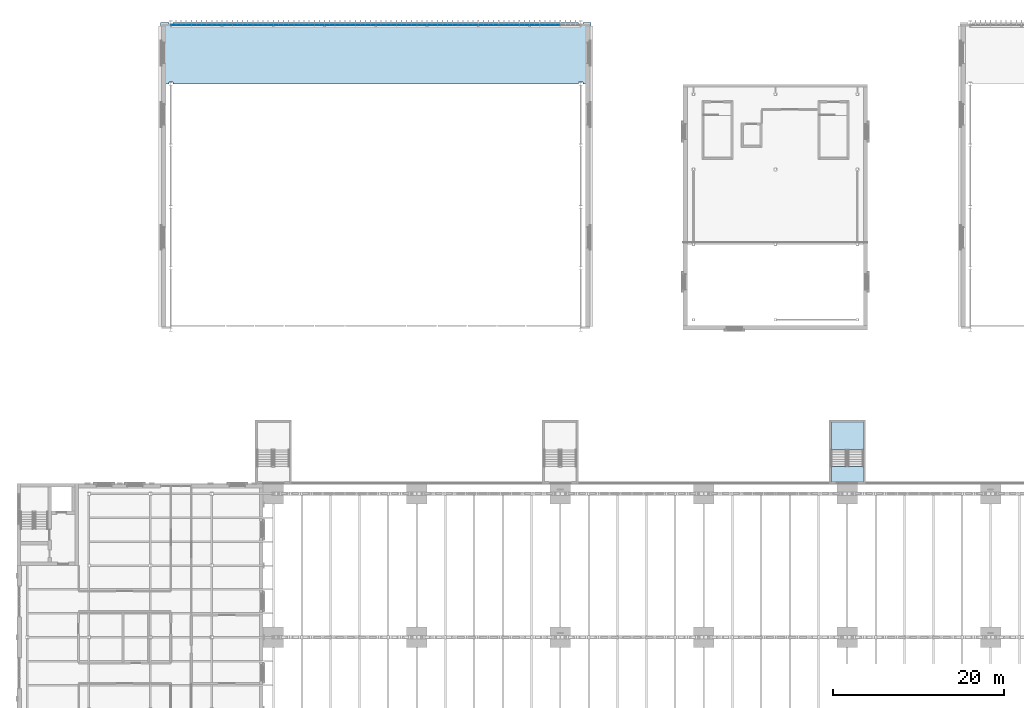
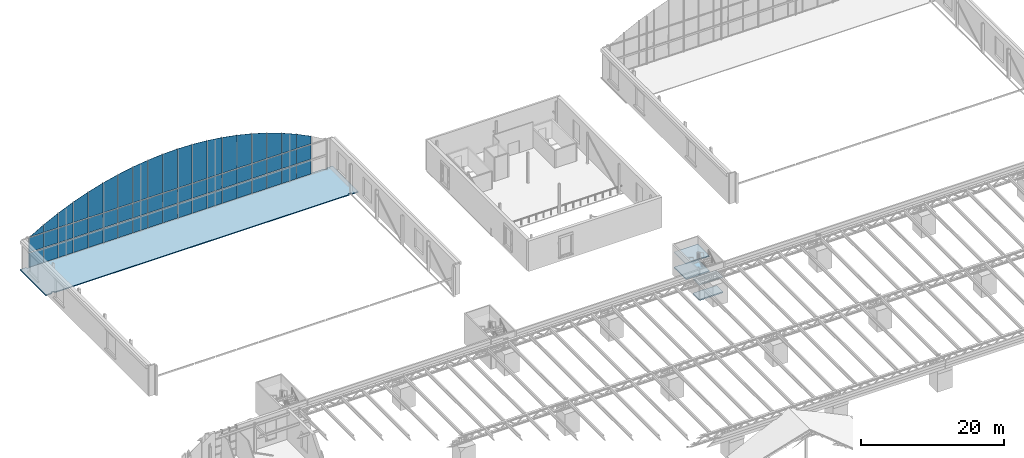
# One storey, part 51 of 93: 57 plates, 5 slabs, 2 elements without a shape of their own.
"""IFC4 building model written with IfcOpenShell, lengths in metres."""

import ifcopenshell
import ifcopenshell.guid

model = None  # the IFC model being written
_history = None  # IfcOwnerHistory: only IFC2X3 demands one
_inside = {}  # id of a spatial element -> (the spatial element, [elements in it])
_under = {}  # id of a project, library or spatial element -> (it, [spatial elements below it])
_declared = {}  # id of a project -> (the project, [libraries it declares])
_typed = {}  # id of a type object -> (the type object, [elements of that type])
_made_of = {}  # id of a material, layer set ... -> (it, [elements and type objects made of it])


def new_model(schema):
    """Start an empty IFC model of exactly this schema.

    Asked for "IFC4X3", IfcOpenShell would pick the latest addendum, in which some entities
    have other attributes; the version numbers below select the first issue.
    IFC2X3 requires an IfcOwnerHistory on every rooted entity: one is made here for all.
    """
    global model, _history
    if schema == "IFC4X3":
        model = ifcopenshell.file(schema_version=(4, 3, 0, 0))
    else:
        model = ifcopenshell.file(schema=schema)
    _inside.clear()
    _under.clear()
    _declared.clear()
    _typed.clear()
    _made_of.clear()
    _history = None
    if model.schema == "IFC2X3":
        org = make("IfcOrganization", Name="unknown")
        user = make(
            "IfcPersonAndOrganization",
            ThePerson=make("IfcPerson", FamilyName="unknown"),
            TheOrganization=org,
        )
        app = make(
            "IfcApplication",
            ApplicationDeveloper=org,
            Version="unknown",
            ApplicationFullName="unknown",
            ApplicationIdentifier="unknown",
        )
        _history = make(
            "IfcOwnerHistory",
            OwningUser=user,
            OwningApplication=app,
            ChangeAction="ADDED",
            CreationDate=0,
        )
    return model


def make(cls, **values):
    """One entity of the class cls with the attributes given. An attribute that is None is left unset."""
    return model.create_entity(
        cls, **{name: value for name, value in values.items() if value is not None}
    )


def rooted(cls, **values):
    """An entity with a GlobalId (a new one), such as an element, a storey or a relation."""
    return make(cls, GlobalId=ifcopenshell.guid.new(), OwnerHistory=_history, **values)


def si_unit(unit_type, name, prefix=None):
    """IfcSIUnit, for example si_unit("LENGTHUNIT", "METRE", prefix="MILLI")."""
    return make("IfcSIUnit", UnitType=unit_type, Prefix=prefix, Name=name)


def assignment(units):
    """IfcUnitAssignment: the units of a project."""
    return None if units is None else make("IfcUnitAssignment", Units=units)


def point(xyz):
    """IfcCartesianPoint."""
    return None if xyz is None else make("IfcCartesianPoint", Coordinates=xyz)


def direction(xyz):
    """IfcDirection."""
    return None if xyz is None else make("IfcDirection", DirectionRatios=xyz)


def frame(location, z_axis=None, x_axis=None):
    """IfcAxis2Placement3D, a coordinate frame: its origin and axes. An axis left out is left unset."""
    return make(
        "IfcAxis2Placement3D",
        Location=point(location),
        Axis=direction(z_axis),
        RefDirection=direction(x_axis),
    )


def frame_2d(location, x_axis=None):
    """IfcAxis2Placement2D, a coordinate frame in the plane: its origin and x axis."""
    return make(
        "IfcAxis2Placement2D", Location=point(location), RefDirection=direction(x_axis)
    )


def origin():
    """The frame at (0, 0, 0) with its axes left unset."""
    return frame((0.0, 0.0, 0.0))


def origin_2d():
    """The frame at (0, 0) in the plane with its x axis left unset."""
    return frame_2d((0.0, 0.0))


def place(relative_to, where):
    """IfcLocalPlacement: puts the frame where relative to a parent placement (None: the world)."""
    return make(
        "IfcLocalPlacement", PlacementRelTo=relative_to, RelativePlacement=where
    )


def context(
    kind, dimensions, precision=None, world=None, true_north=None, identifier=None
):
    """IfcGeometricRepresentationContext, for example the 3D "Model" context."""
    return make(
        "IfcGeometricRepresentationContext",
        ContextIdentifier=identifier,
        ContextType=kind,
        CoordinateSpaceDimension=dimensions,
        Precision=precision,
        WorldCoordinateSystem=world,
        TrueNorth=true_north,
    )


def subcontext(parent, identifier, kind, view, scale=None):
    """IfcGeometricRepresentationSubContext, for example "Body" below "Model"."""
    return make(
        "IfcGeometricRepresentationSubContext",
        ContextIdentifier=identifier,
        ContextType=kind,
        ParentContext=parent,
        TargetScale=scale,
        TargetView=view,
    )


def project(units=None, contexts=None):
    """IfcProject with its units and contexts."""
    return rooted(
        "IfcProject",
        Name="project",
        RepresentationContexts=contexts,
        UnitsInContext=assignment(units),
    )


def spatial(cls, under=None, at=None, **own):
    """A site, building, storey or space (cls), placed at a placement, below another one or the project."""
    s = rooted(cls, ObjectPlacement=at, **own)
    if under is not None:
        _under.setdefault(under.id(), (under, []))[1].append(s)
    return s


def polyline(points):
    """IfcPolyline through the points."""
    return make("IfcPolyline", Points=[point(p) for p in points])


def profile(cls, at=None, kind="AREA", **sizes):
    """A parametric profile (cls). Its sizes go by their IFC names, for example OverallWidth=200.0."""
    return make(cls, ProfileType=kind, Position=at, **sizes)


def rectangle(**sizes):
    """IfcRectangleProfileDef."""
    return profile("IfcRectangleProfileDef", **sizes)


def outline(outer, holes=None, kind="AREA"):
    """IfcArbitraryClosedProfileDef: a profile drawn as a closed curve; with holes, ...WithVoids."""
    if holes is None:
        return make("IfcArbitraryClosedProfileDef", ProfileType=kind, OuterCurve=outer)
    return make(
        "IfcArbitraryProfileDefWithVoids",
        ProfileType=kind,
        OuterCurve=outer,
        InnerCurves=holes,
    )


def extrude(swept, where, along, depth):
    """IfcExtrudedAreaSolid: the profile swept, set in the frame where, extruded along a direction by depth."""
    return make(
        "IfcExtrudedAreaSolid",
        SweptArea=swept,
        Position=where,
        ExtrudedDirection=direction(along),
        Depth=depth,
    )


def shape(context_of_items, identifier, shape_type, items):
    """IfcShapeRepresentation: the items that make up one representation, for example the "Body"."""
    return make(
        "IfcShapeRepresentation",
        ContextOfItems=context_of_items,
        RepresentationIdentifier=identifier,
        RepresentationType=shape_type,
        Items=items,
    )


def material(Name=None, Category=None):
    """IfcMaterial."""
    return make("IfcMaterial", Name=Name, Category=Category)


def layer(
    of_material, thickness, ventilated=None, Name=None, Category=None, Priority=None
):
    """IfcMaterialLayer: one layer of a wall or slab, of a material (None: an air gap)."""
    return make(
        "IfcMaterialLayer",
        Material=of_material,
        LayerThickness=thickness,
        IsVentilated=ventilated,
        Name=Name,
        Category=Category,
        Priority=Priority,
    )


def layer_set(layers, Name=None):
    """IfcMaterialLayerSet."""
    return make("IfcMaterialLayerSet", MaterialLayers=layers, LayerSetName=Name)


def made_of(thing, what):
    """Note that an element or type object is made of a material, layer set ...; save() writes the relation."""
    if what is not None:
        _made_of.setdefault(what.id(), (what, []))[1].append(thing)
    return thing


def type_object(cls, material=None, **own):
    """A type object (cls), such as IfcWallType, which elements share."""
    return made_of(rooted(cls, **own), material)


def element(
    cls,
    number,
    at=None,
    inside=None,
    cuts=None,
    type_object=None,
    material=None,
    context=None,
    identifier="Body",
    shape_type=None,
    held_by="IfcProductDefinitionShape",
    body=None,
    shapes=None,
    **own,
):
    """One element of the class cls, such as IfcWall. Its Tag is "e" and its number.

    at: its placement. inside: the storey or other place that contains it. cuts: it is an
    opening in that element (IfcRelVoidsElement). A single representation is given by context,
    identifier, shape_type and body (its items); several are given by shapes. held_by: the class
    of the entity that holds the representations. save() writes the other relations.
    """
    e = rooted(cls, Tag="e%d" % number, ObjectPlacement=at, **own)
    if body is not None:
        shapes = [shape(context, identifier, shape_type, body)]
    if shapes is not None:
        e.Representation = make(held_by, Representations=shapes)
    if inside is not None:
        _inside.setdefault(inside.id(), (inside, []))[1].append(e)
    if cuts is not None:
        rooted(
            "IfcRelVoidsElement", RelatingBuildingElement=cuts, RelatedOpeningElement=e
        )
    if type_object is not None:
        _typed.setdefault(type_object.id(), (type_object, []))[1].append(e)
    return made_of(e, material)


def aggregate(whole, parts):
    """IfcRelAggregates: a whole, such as a stair, and the parts it consists of."""
    return rooted("IfcRelAggregates", RelatingObject=whole, RelatedObjects=parts)


def save(model, path):
    """Write the relations noted so far, then the file.

    IfcRelAggregates (storeys below a building ...), IfcRelContainedInSpatialStructure (elements
    in a storey), IfcRelDefinesByType, IfcRelAssociatesMaterial and IfcRelDeclares: one each for
    every whole, place, type object, material and project.
    """
    for whole, parts in _under.values():
        aggregate(whole, parts)
    for where, things in _inside.values():
        rooted(
            "IfcRelContainedInSpatialStructure",
            RelatedElements=things,
            RelatingStructure=where,
        )
    for kind, things in _typed.values():
        rooted("IfcRelDefinesByType", RelatedObjects=things, RelatingType=kind)
    for what, things in _made_of.values():
        rooted("IfcRelAssociatesMaterial", RelatedObjects=things, RelatingMaterial=what)
    for by, libraries in _declared.values():
        rooted("IfcRelDeclares", RelatingContext=by, RelatedDefinitions=libraries)
    model.write(path)


model = new_model("IFC4")

# Units and contexts
model_context = context("Model", 3, precision=1e-05, world=origin(), true_north=direction((0.0, 1.0)))
body_context = subcontext(model_context, "Body", "Model", "MODEL_VIEW")
ifc_project = project(units=[si_unit("LENGTHUNIT", "METRE"), si_unit("AREAUNIT", "SQUARE_METRE"), si_unit("VOLUMEUNIT", "CUBIC_METRE"), si_unit("PLANEANGLEUNIT", "RADIAN"), si_unit("MASSUNIT", "GRAM", prefix="KILO")], contexts=[model_context])

# Site, building, storey
site_placement = place(None, origin())
site = spatial("IfcSite", under=ifc_project, at=site_placement, CompositionType="ELEMENT")
building_placement = place(site_placement, origin())
building = spatial("IfcBuilding", under=site, at=building_placement, Name="Verrick Yard Athletic Hall", CompositionType="ELEMENT")
storey_placement = place(building_placement, frame((0.0, 0.0, 8.800048828125)))
storey = spatial("IfcBuildingStorey", under=building, at=storey_placement, Name="L02", CompositionType="ELEMENT", Elevation=8.800048828125)

# Slab
ifc_material_1 = material(Name="Concrete 35 MPa", Category="concrete")
ifc_layer_1 = layer(ifc_material_1, 0.199951171875)
ifc_layer_set_1 = layer_set([ifc_layer_1], Name="Core floor slab 200")
slab_type_1 = type_object("IfcSlabType", Name="Core floor slab 200", PredefinedType="FLOOR", material=ifc_layer_set_1)
slab_1_placement = place(storey_placement, frame((0.0, 0.0, -0.199951171875)))
element("IfcSlab", 1, at=slab_1_placement, inside=storey, type_object=slab_type_1, Name="CORE-DT-N2-NL-L02", PredefinedType="FLOOR", context=body_context, shape_type="SweptSolid", body=[
    extrude(outline(polyline([(109.10009765625, 54.199951171875), (109.10009765625, 56.0), (105.300048828125, 56.0), (105.300048828125, 54.199951171875), (109.10009765625, 54.199951171875)])), origin(), (0.0, 0.0, 1.0), 0.199951171875),
])

# Curtain wall, plates
ifc_material_2 = material(Name="Anodised aluminium", Category="aluminium")
ifc_layer_2 = layer(ifc_material_2, 0.199951171875)
ifc_layer_set_2 = layer_set([ifc_layer_2], Name="Gable glazing")
curtain_wall_type = type_object("IfcCurtainWallType", Name="Gable glazing", PredefinedType="NOTDEFINED", material=ifc_layer_set_2)
curtain_wall_placement = place(storey_placement, origin())
curtain_wall = element("IfcCurtainWall", 2, at=curtain_wall_placement, inside=storey, type_object=curtain_wall_type, Name="Gable curtain wall BN", PredefinedType="NOTDEFINED")
ifc_material_3 = material(Name="Glass IGU low-e", Category="glass")
ifc_layer_3 = layer(ifc_material_3, 0.03125)
ifc_layer_set_3 = layer_set([ifc_layer_3], Name="Glazing panel 31")
plate_type = type_object("IfcPlateType", Name="Glazing panel 31", PredefinedType="CURTAIN_PANEL", material=ifc_layer_set_3)
plate_1_placement = place(storey_placement, frame((29.199951171875, 107.681640625, 0.119873046875), z_axis=(0.0, 0.0, 1.0), x_axis=(1.0, 0.0, 0.0)))
plate_1 = element("IfcPlate", 3, at=plate_1_placement, type_object=plate_type, Name="ENVB-HBN-CW/P00-00", PredefinedType="CURTAIN_PANEL", context=body_context, shape_type="SweptSolid", body=[
    extrude(rectangle(XDim=2.340087890625, YDim=0.03125, at=origin_2d()), origin(), (0.0, 0.0, 1.0), 2.419921875),
])
plate_2_placement = place(storey_placement, frame((29.199951171875, 107.681640625, 2.659912109375), z_axis=(0.0, 0.0, 1.0), x_axis=(1.0, 0.0, 0.0)))
plate_2 = element("IfcPlate", 4, at=plate_2_placement, type_object=plate_type, Name="ENVB-HBN-CW/P00-01", PredefinedType="CURTAIN_PANEL", context=body_context, shape_type="SweptSolid", body=[
    extrude(rectangle(XDim=2.340087890625, YDim=0.03125, at=origin_2d()), origin(), (0.0, 0.0, 1.0), 2.47998046875),
])
plate_3_placement = place(storey_placement, frame((31.60009765625, 107.681640625, 0.119873046875), z_axis=(0.0, 0.0, 1.0), x_axis=(1.0, 0.0, 0.0)))
plate_3 = element("IfcPlate", 5, at=plate_3_placement, type_object=plate_type, Name="ENVB-HBN-CW/P01-00", PredefinedType="CURTAIN_PANEL", context=body_context, shape_type="SweptSolid", body=[
    extrude(rectangle(XDim=2.340087890625, YDim=0.03125, at=origin_2d()), origin(), (0.0, 0.0, 1.0), 2.419921875),
])
plate_4_placement = place(storey_placement, frame((31.60009765625, 107.681640625, 2.659912109375), z_axis=(0.0, 0.0, 1.0), x_axis=(1.0, 0.0, 0.0)))
plate_4 = element("IfcPlate", 6, at=plate_4_placement, type_object=plate_type, Name="ENVB-HBN-CW/P01-01", PredefinedType="CURTAIN_PANEL", context=body_context, shape_type="SweptSolid", body=[
    extrude(rectangle(XDim=2.340087890625, YDim=0.03125, at=origin_2d()), origin(), (0.0, 0.0, 1.0), 2.47998046875),
])
plate_5_placement = place(storey_placement, frame((34.0, 107.681640625, 0.119873046875), z_axis=(0.0, 0.0, 1.0), x_axis=(1.0, 0.0, 0.0)))
plate_5 = element("IfcPlate", 7, at=plate_5_placement, type_object=plate_type, Name="ENVB-HBN-CW/P02-00", PredefinedType="CURTAIN_PANEL", context=body_context, shape_type="SweptSolid", body=[
    extrude(rectangle(XDim=2.340087890625, YDim=0.03125, at=origin_2d()), origin(), (0.0, 0.0, 1.0), 2.419921875),
])
plate_6_placement = place(storey_placement, frame((34.0, 107.681640625, 2.659912109375), z_axis=(0.0, 0.0, 1.0), x_axis=(1.0, 0.0, 0.0)))
plate_6 = element("IfcPlate", 8, at=plate_6_placement, type_object=plate_type, Name="ENVB-HBN-CW/P02-01", PredefinedType="CURTAIN_PANEL", context=body_context, shape_type="SweptSolid", body=[
    extrude(rectangle(XDim=2.340087890625, YDim=0.03125, at=origin_2d()), origin(), (0.0, 0.0, 1.0), 2.47998046875),
])
plate_7_placement = place(storey_placement, frame((36.39990234375, 107.681640625, 0.119873046875), z_axis=(0.0, 0.0, 1.0), x_axis=(1.0, 0.0, 0.0)))
plate_7 = element("IfcPlate", 9, at=plate_7_placement, type_object=plate_type, Name="ENVB-HBN-CW/P03-00", PredefinedType="CURTAIN_PANEL", context=body_context, shape_type="SweptSolid", body=[
    extrude(rectangle(XDim=2.340087890625, YDim=0.03125, at=origin_2d()), origin(), (0.0, 0.0, 1.0), 2.419921875),
])
plate_8_placement = place(storey_placement, frame((36.39990234375, 107.681640625, 2.659912109375), z_axis=(0.0, 0.0, 1.0), x_axis=(1.0, 0.0, 0.0)))
plate_8 = element("IfcPlate", 10, at=plate_8_placement, type_object=plate_type, Name="ENVB-HBN-CW/P03-01", PredefinedType="CURTAIN_PANEL", context=body_context, shape_type="SweptSolid", body=[
    extrude(rectangle(XDim=2.340087890625, YDim=0.03125, at=origin_2d()), origin(), (0.0, 0.0, 1.0), 2.47998046875),
])
plate_9_placement = place(storey_placement, frame((38.800048828125, 107.681640625, 0.119873046875), z_axis=(0.0, 0.0, 1.0), x_axis=(1.0, 0.0, 0.0)))
plate_9 = element("IfcPlate", 11, at=plate_9_placement, type_object=plate_type, Name="ENVB-HBN-CW/P04-00", PredefinedType="CURTAIN_PANEL", context=body_context, shape_type="SweptSolid", body=[
    extrude(rectangle(XDim=2.340087890625, YDim=0.03125, at=origin_2d()), origin(), (0.0, 0.0, 1.0), 2.419921875),
])
plate_10_placement = place(storey_placement, frame((38.800048828125, 107.681640625, 2.659912109375), z_axis=(0.0, 0.0, 1.0), x_axis=(1.0, 0.0, 0.0)))
plate_10 = element("IfcPlate", 12, at=plate_10_placement, type_object=plate_type, Name="ENVB-HBN-CW/P04-01", PredefinedType="CURTAIN_PANEL", context=body_context, shape_type="SweptSolid", body=[
    extrude(rectangle(XDim=2.340087890625, YDim=0.03125, at=origin_2d()), origin(), (0.0, 0.0, 1.0), 2.47998046875),
])
plate_11_placement = place(storey_placement, frame((41.199951171875, 107.681640625, 0.119873046875), z_axis=(0.0, 0.0, 1.0), x_axis=(1.0, 0.0, 0.0)))
plate_11 = element("IfcPlate", 13, at=plate_11_placement, type_object=plate_type, Name="ENVB-HBN-CW/P05-00", PredefinedType="CURTAIN_PANEL", context=body_context, shape_type="SweptSolid", body=[
    extrude(rectangle(XDim=2.340087890625, YDim=0.03125, at=origin_2d()), origin(), (0.0, 0.0, 1.0), 2.419921875),
])
plate_12_placement = place(storey_placement, frame((41.199951171875, 107.681640625, 2.659912109375), z_axis=(0.0, 0.0, 1.0), x_axis=(1.0, 0.0, 0.0)))
plate_12 = element("IfcPlate", 14, at=plate_12_placement, type_object=plate_type, Name="ENVB-HBN-CW/P05-01", PredefinedType="CURTAIN_PANEL", context=body_context, shape_type="SweptSolid", body=[
    extrude(rectangle(XDim=2.340087890625, YDim=0.03125, at=origin_2d()), origin(), (0.0, 0.0, 1.0), 2.47998046875),
])
plate_13_placement = place(storey_placement, frame((43.60009765625, 107.681640625, 0.119873046875), z_axis=(0.0, 0.0, 1.0), x_axis=(1.0, 0.0, 0.0)))
plate_13 = element("IfcPlate", 15, at=plate_13_placement, type_object=plate_type, Name="ENVB-HBN-CW/P06-00", PredefinedType="CURTAIN_PANEL", context=body_context, shape_type="SweptSolid", body=[
    extrude(rectangle(XDim=2.340087890625, YDim=0.03125, at=origin_2d()), origin(), (0.0, 0.0, 1.0), 2.419921875),
])
plate_14_placement = place(storey_placement, frame((43.60009765625, 107.681640625, 2.659912109375), z_axis=(0.0, 0.0, 1.0), x_axis=(1.0, 0.0, 0.0)))
plate_14 = element("IfcPlate", 16, at=plate_14_placement, type_object=plate_type, Name="ENVB-HBN-CW/P06-01", PredefinedType="CURTAIN_PANEL", context=body_context, shape_type="SweptSolid", body=[
    extrude(rectangle(XDim=2.340087890625, YDim=0.03125, at=origin_2d()), origin(), (0.0, 0.0, 1.0), 2.47998046875),
])
plate_15_placement = place(storey_placement, frame((46.0, 107.681640625, 0.119873046875), z_axis=(0.0, 0.0, 1.0), x_axis=(1.0, 0.0, 0.0)))
plate_15 = element("IfcPlate", 17, at=plate_15_placement, type_object=plate_type, Name="ENVB-HBN-CW/P07-00", PredefinedType="CURTAIN_PANEL", context=body_context, shape_type="SweptSolid", body=[
    extrude(rectangle(XDim=2.340087890625, YDim=0.03125, at=origin_2d()), origin(), (0.0, 0.0, 1.0), 2.419921875),
])
plate_16_placement = place(storey_placement, frame((46.0, 107.681640625, 2.659912109375), z_axis=(0.0, 0.0, 1.0), x_axis=(1.0, 0.0, 0.0)))
plate_16 = element("IfcPlate", 18, at=plate_16_placement, type_object=plate_type, Name="ENVB-HBN-CW/P07-01", PredefinedType="CURTAIN_PANEL", context=body_context, shape_type="SweptSolid", body=[
    extrude(rectangle(XDim=2.340087890625, YDim=0.03125, at=origin_2d()), origin(), (0.0, 0.0, 1.0), 2.47998046875),
])
plate_17_placement = place(storey_placement, frame((48.39990234375, 107.681640625, 0.119873046875), z_axis=(0.0, 0.0, 1.0), x_axis=(1.0, 0.0, 0.0)))
plate_17 = element("IfcPlate", 19, at=plate_17_placement, type_object=plate_type, Name="ENVB-HBN-CW/P08-00", PredefinedType="CURTAIN_PANEL", context=body_context, shape_type="SweptSolid", body=[
    extrude(rectangle(XDim=2.340087890625, YDim=0.03125, at=origin_2d()), origin(), (0.0, 0.0, 1.0), 2.419921875),
])
plate_18_placement = place(storey_placement, frame((48.39990234375, 107.681640625, 2.659912109375), z_axis=(0.0, 0.0, 1.0), x_axis=(1.0, 0.0, 0.0)))
plate_18 = element("IfcPlate", 20, at=plate_18_placement, type_object=plate_type, Name="ENVB-HBN-CW/P08-01", PredefinedType="CURTAIN_PANEL", context=body_context, shape_type="SweptSolid", body=[
    extrude(rectangle(XDim=2.340087890625, YDim=0.03125, at=origin_2d()), origin(), (0.0, 0.0, 1.0), 2.47998046875),
])
plate_19_placement = place(storey_placement, frame((50.800048828125, 107.681640625, 0.119873046875), z_axis=(0.0, 0.0, 1.0), x_axis=(1.0, 0.0, 0.0)))
plate_19 = element("IfcPlate", 21, at=plate_19_placement, type_object=plate_type, Name="ENVB-HBN-CW/P09-00", PredefinedType="CURTAIN_PANEL", context=body_context, shape_type="SweptSolid", body=[
    extrude(rectangle(XDim=2.340087890625, YDim=0.03125, at=origin_2d()), origin(), (0.0, 0.0, 1.0), 2.419921875),
])
plate_20_placement = place(storey_placement, frame((50.800048828125, 107.681640625, 2.659912109375), z_axis=(0.0, 0.0, 1.0), x_axis=(1.0, 0.0, 0.0)))
plate_20 = element("IfcPlate", 22, at=plate_20_placement, type_object=plate_type, Name="ENVB-HBN-CW/P09-01", PredefinedType="CURTAIN_PANEL", context=body_context, shape_type="SweptSolid", body=[
    extrude(rectangle(XDim=2.340087890625, YDim=0.03125, at=origin_2d()), origin(), (0.0, 0.0, 1.0), 2.47998046875),
])
plate_21_placement = place(storey_placement, frame((53.199951171875, 107.681640625, 0.119873046875), z_axis=(0.0, 0.0, 1.0), x_axis=(1.0, 0.0, 0.0)))
plate_21 = element("IfcPlate", 23, at=plate_21_placement, type_object=plate_type, Name="ENVB-HBN-CW/P10-00", PredefinedType="CURTAIN_PANEL", context=body_context, shape_type="SweptSolid", body=[
    extrude(rectangle(XDim=2.340087890625, YDim=0.03125, at=origin_2d()), origin(), (0.0, 0.0, 1.0), 2.419921875),
])
plate_22_placement = place(storey_placement, frame((53.199951171875, 107.681640625, 2.659912109375), z_axis=(0.0, 0.0, 1.0), x_axis=(1.0, 0.0, 0.0)))
plate_22 = element("IfcPlate", 24, at=plate_22_placement, type_object=plate_type, Name="ENVB-HBN-CW/P10-01", PredefinedType="CURTAIN_PANEL", context=body_context, shape_type="SweptSolid", body=[
    extrude(rectangle(XDim=2.340087890625, YDim=0.03125, at=origin_2d()), origin(), (0.0, 0.0, 1.0), 2.47998046875),
])
plate_23_placement = place(storey_placement, frame((55.60009765625, 107.681640625, 0.119873046875), z_axis=(0.0, 0.0, 1.0), x_axis=(1.0, 0.0, 0.0)))
plate_23 = element("IfcPlate", 25, at=plate_23_placement, type_object=plate_type, Name="ENVB-HBN-CW/P11-00", PredefinedType="CURTAIN_PANEL", context=body_context, shape_type="SweptSolid", body=[
    extrude(rectangle(XDim=2.340087890625, YDim=0.03125, at=origin_2d()), origin(), (0.0, 0.0, 1.0), 2.419921875),
])
plate_24_placement = place(storey_placement, frame((55.60009765625, 107.681640625, 2.659912109375), z_axis=(0.0, 0.0, 1.0), x_axis=(1.0, 0.0, 0.0)))
plate_24 = element("IfcPlate", 26, at=plate_24_placement, type_object=plate_type, Name="ENVB-HBN-CW/P11-01", PredefinedType="CURTAIN_PANEL", context=body_context, shape_type="SweptSolid", body=[
    extrude(rectangle(XDim=2.340087890625, YDim=0.03125, at=origin_2d()), origin(), (0.0, 0.0, 1.0), 2.47998046875),
])
plate_25_placement = place(storey_placement, frame((58.0, 107.681640625, 0.119873046875), z_axis=(0.0, 0.0, 1.0), x_axis=(1.0, 0.0, 0.0)))
plate_25 = element("IfcPlate", 27, at=plate_25_placement, type_object=plate_type, Name="ENVB-HBN-CW/P12-00", PredefinedType="CURTAIN_PANEL", context=body_context, shape_type="SweptSolid", body=[
    extrude(rectangle(XDim=2.340087890625, YDim=0.03125, at=origin_2d()), origin(), (0.0, 0.0, 1.0), 2.419921875),
])
plate_26_placement = place(storey_placement, frame((58.0, 107.681640625, 2.659912109375), z_axis=(0.0, 0.0, 1.0), x_axis=(1.0, 0.0, 0.0)))
plate_26 = element("IfcPlate", 28, at=plate_26_placement, type_object=plate_type, Name="ENVB-HBN-CW/P12-01", PredefinedType="CURTAIN_PANEL", context=body_context, shape_type="SweptSolid", body=[
    extrude(rectangle(XDim=2.340087890625, YDim=0.03125, at=origin_2d()), origin(), (0.0, 0.0, 1.0), 2.47998046875),
])
plate_27_placement = place(storey_placement, frame((60.39990234375, 107.681640625, 0.119873046875), z_axis=(0.0, 0.0, 1.0), x_axis=(1.0, 0.0, 0.0)))
plate_27 = element("IfcPlate", 29, at=plate_27_placement, type_object=plate_type, Name="ENVB-HBN-CW/P13-00", PredefinedType="CURTAIN_PANEL", context=body_context, shape_type="SweptSolid", body=[
    extrude(rectangle(XDim=2.340087890625, YDim=0.03125, at=origin_2d()), origin(), (0.0, 0.0, 1.0), 2.419921875),
])
plate_28_placement = place(storey_placement, frame((60.39990234375, 107.681640625, 2.659912109375), z_axis=(0.0, 0.0, 1.0), x_axis=(1.0, 0.0, 0.0)))
plate_28 = element("IfcPlate", 30, at=plate_28_placement, type_object=plate_type, Name="ENVB-HBN-CW/P13-01", PredefinedType="CURTAIN_PANEL", context=body_context, shape_type="SweptSolid", body=[
    extrude(rectangle(XDim=2.340087890625, YDim=0.03125, at=origin_2d()), origin(), (0.0, 0.0, 1.0), 2.47998046875),
])
plate_29_placement = place(storey_placement, frame((62.800048828125, 107.681640625, 0.119873046875), z_axis=(0.0, 0.0, 1.0), x_axis=(1.0, 0.0, 0.0)))
plate_29 = element("IfcPlate", 31, at=plate_29_placement, type_object=plate_type, Name="ENVB-HBN-CW/P14-00", PredefinedType="CURTAIN_PANEL", context=body_context, shape_type="SweptSolid", body=[
    extrude(rectangle(XDim=2.340087890625, YDim=0.03125, at=origin_2d()), origin(), (0.0, 0.0, 1.0), 2.419921875),
])
plate_30_placement = place(storey_placement, frame((62.800048828125, 107.681640625, 2.659912109375), z_axis=(0.0, 0.0, 1.0), x_axis=(1.0, 0.0, 0.0)))
plate_30 = element("IfcPlate", 32, at=plate_30_placement, type_object=plate_type, Name="ENVB-HBN-CW/P14-01", PredefinedType="CURTAIN_PANEL", context=body_context, shape_type="SweptSolid", body=[
    extrude(rectangle(XDim=2.340087890625, YDim=0.03125, at=origin_2d()), origin(), (0.0, 0.0, 1.0), 2.47998046875),
])
plate_31_placement = place(storey_placement, frame((65.199951171875, 107.681640625, 0.119873046875), z_axis=(0.0, 0.0, 1.0), x_axis=(1.0, 0.0, 0.0)))
plate_31 = element("IfcPlate", 33, at=plate_31_placement, type_object=plate_type, Name="ENVB-HBN-CW/P15-00", PredefinedType="CURTAIN_PANEL", context=body_context, shape_type="SweptSolid", body=[
    extrude(rectangle(XDim=2.340087890625, YDim=0.03125, at=origin_2d()), origin(), (0.0, 0.0, 1.0), 2.419921875),
])
plate_32_placement = place(storey_placement, frame((65.199951171875, 107.681640625, 2.659912109375), z_axis=(0.0, 0.0, 1.0), x_axis=(1.0, 0.0, 0.0)))
plate_32 = element("IfcPlate", 34, at=plate_32_placement, type_object=plate_type, Name="ENVB-HBN-CW/P15-01", PredefinedType="CURTAIN_PANEL", context=body_context, shape_type="SweptSolid", body=[
    extrude(rectangle(XDim=2.340087890625, YDim=0.03125, at=origin_2d()), origin(), (0.0, 0.0, 1.0), 2.47998046875),
])
plate_33_placement = place(storey_placement, frame((67.60009765625, 107.681640625, 0.119873046875), z_axis=(0.0, 0.0, 1.0), x_axis=(1.0, 0.0, 0.0)))
plate_33 = element("IfcPlate", 35, at=plate_33_placement, type_object=plate_type, Name="ENVB-HBN-CW/P16-00", PredefinedType="CURTAIN_PANEL", context=body_context, shape_type="SweptSolid", body=[
    extrude(rectangle(XDim=2.340087890625, YDim=0.03125, at=origin_2d()), origin(), (0.0, 0.0, 1.0), 2.419921875),
])
plate_34_placement = place(storey_placement, frame((67.60009765625, 107.681640625, 2.659912109375), z_axis=(0.0, 0.0, 1.0), x_axis=(1.0, 0.0, 0.0)))
plate_34 = element("IfcPlate", 36, at=plate_34_placement, type_object=plate_type, Name="ENVB-HBN-CW/P16-01", PredefinedType="CURTAIN_PANEL", context=body_context, shape_type="SweptSolid", body=[
    extrude(rectangle(XDim=2.340087890625, YDim=0.03125, at=origin_2d()), origin(), (0.0, 0.0, 1.0), 2.47998046875),
])
plate_35_placement = place(storey_placement, frame((70.0, 107.681640625, 0.119873046875), z_axis=(0.0, 0.0, 1.0), x_axis=(1.0, 0.0, 0.0)))
plate_35 = element("IfcPlate", 37, at=plate_35_placement, type_object=plate_type, Name="ENVB-HBN-CW/P17-00", PredefinedType="CURTAIN_PANEL", context=body_context, shape_type="SweptSolid", body=[
    extrude(rectangle(XDim=2.340087890625, YDim=0.03125, at=origin_2d()), origin(), (0.0, 0.0, 1.0), 2.419921875),
])
plate_36_placement = place(storey_placement, frame((70.0, 107.681640625, 2.659912109375), z_axis=(0.0, 0.0, 1.0), x_axis=(1.0, 0.0, 0.0)))
plate_36 = element("IfcPlate", 38, at=plate_36_placement, type_object=plate_type, Name="ENVB-HBN-CW/P17-01", PredefinedType="CURTAIN_PANEL", context=body_context, shape_type="SweptSolid", body=[
    extrude(rectangle(XDim=2.340087890625, YDim=0.03125, at=origin_2d()), origin(), (0.0, 0.0, 1.0), 2.47998046875),
])
plate_37_placement = place(storey_placement, frame((72.39990234375, 107.681640625, 0.119873046875), z_axis=(0.0, 0.0, 1.0), x_axis=(1.0, 0.0, 0.0)))
plate_37 = element("IfcPlate", 39, at=plate_37_placement, type_object=plate_type, Name="ENVB-HBN-CW/P18-00", PredefinedType="CURTAIN_PANEL", context=body_context, shape_type="SweptSolid", body=[
    extrude(rectangle(XDim=2.340087890625, YDim=0.03125, at=origin_2d()), origin(), (0.0, 0.0, 1.0), 2.419921875),
])
plate_38_placement = place(storey_placement, frame((72.39990234375, 107.681640625, 2.659912109375), z_axis=(0.0, 0.0, 1.0), x_axis=(1.0, 0.0, 0.0)))
plate_38 = element("IfcPlate", 40, at=plate_38_placement, type_object=plate_type, Name="ENVB-HBN-CW/P18-01", PredefinedType="CURTAIN_PANEL", context=body_context, shape_type="SweptSolid", body=[
    extrude(rectangle(XDim=2.340087890625, YDim=0.03125, at=origin_2d()), origin(), (0.0, 0.0, 1.0), 2.47998046875),
])
plate_39_placement = place(storey_placement, frame((28.16552734375, 107.681640625, 5.260009765625), z_axis=(0.0, 0.0, 1.0), x_axis=(1.0, 0.0, 0.0)))
plate_39 = element("IfcPlate", 41, at=plate_39_placement, type_object=plate_type, Name="ENVB-HBN-CW/PA00", PredefinedType="CURTAIN_PANEL", context=body_context, shape_type="SweptSolid", body=[
    extrude(outline(polyline([(2.204345703125, 1.2587890625), (2.204345703125, 0.0), (0.0, 0.0), (2.204345703125, 1.2587890625)])), frame((0.0, 0.015625, 0.0), z_axis=(0.0, -1.0, 0.0), x_axis=(1.0, 0.0, 0.0)), (0.0, 0.0, 1.0), 0.03125),
])
plate_40_placement = place(storey_placement, frame((30.429931640625, 107.681640625, 5.260009765625), z_axis=(0.0, 0.0, 1.0), x_axis=(1.0, 0.0, 0.0)))
plate_40 = element("IfcPlate", 42, at=plate_40_placement, type_object=plate_type, Name="ENVB-HBN-CW/PA01", PredefinedType="CURTAIN_PANEL", context=body_context, shape_type="SweptSolid", body=[
    extrude(outline(polyline([(0.0, 1.291748046875), (2.340087890625, 2.4501953125), (2.340087890625, 0.0), (0.0, 0.0), (0.0, 1.291748046875)])), frame((0.0, 0.015625, 0.0), z_axis=(0.0, -1.0, 0.0), x_axis=(1.0, 0.0, 0.0)), (0.0, 0.0, 1.0), 0.03125),
])
plate_41_placement = place(storey_placement, frame((32.830078125, 107.681640625, 5.260009765625), z_axis=(0.0, 0.0, 1.0), x_axis=(1.0, 0.0, 0.0)))
plate_41 = element("IfcPlate", 43, at=plate_41_placement, type_object=plate_type, Name="ENVB-HBN-CW/PA02", PredefinedType="CURTAIN_PANEL", context=body_context, shape_type="SweptSolid", body=[
    extrude(outline(polyline([(0.0, 2.478759765625), (2.340087890625, 3.47412109375), (2.340087890625, 0.0), (0.0, 0.0), (0.0, 2.478759765625)])), frame((0.0, 0.015625, 0.0), z_axis=(0.0, -1.0, 0.0), x_axis=(1.0, 0.0, 0.0)), (0.0, 0.0, 1.0), 0.03125),
])
plate_42_placement = place(storey_placement, frame((35.22998046875, 107.681640625, 5.260009765625), z_axis=(0.0, 0.0, 1.0), x_axis=(1.0, 0.0, 0.0)))
plate_42 = element("IfcPlate", 44, at=plate_42_placement, type_object=plate_type, Name="ENVB-HBN-CW/PA03", PredefinedType="CURTAIN_PANEL", context=body_context, shape_type="SweptSolid", body=[
    extrude(outline(polyline([(0.0, 3.49853515625), (2.340087890625, 4.34228515625), (2.340087890625, 0.0), (0.0, 0.0), (0.0, 3.49853515625)])), frame((0.0, 0.015625, 0.0), z_axis=(0.0, -1.0, 0.0), x_axis=(1.0, 0.0, 0.0)), (0.0, 0.0, 1.0), 0.03125),
])
plate_43_placement = place(storey_placement, frame((37.6298828125, 107.681640625, 5.260009765625), z_axis=(0.0, 0.0, 1.0), x_axis=(1.0, 0.0, 0.0)))
plate_43 = element("IfcPlate", 45, at=plate_43_placement, type_object=plate_type, Name="ENVB-HBN-CW/PA04", PredefinedType="CURTAIN_PANEL", context=body_context, shape_type="SweptSolid", body=[
    extrude(outline(polyline([(0.0, 4.36279296875), (2.340087890625, 5.06396484375), (2.340087890625, 0.0), (0.0, 0.0), (0.0, 4.36279296875)])), frame((0.0, 0.015625, 0.0), z_axis=(0.0, -1.0, 0.0), x_axis=(1.0, 0.0, 0.0)), (0.0, 0.0, 1.0), 0.03125),
])
plate_44_placement = place(storey_placement, frame((40.030029296875, 107.681640625, 5.260009765625), z_axis=(0.0, 0.0, 1.0), x_axis=(1.0, 0.0, 0.0)))
plate_44 = element("IfcPlate", 46, at=plate_44_placement, type_object=plate_type, Name="ENVB-HBN-CW/PA05", PredefinedType="CURTAIN_PANEL", context=body_context, shape_type="SweptSolid", body=[
    extrude(outline(polyline([(0.0, 5.080810546875), (2.340087890625, 5.646240234375), (2.340087890625, 0.0), (0.0, 0.0), (0.0, 5.080810546875)])), frame((0.0, 0.015625, 0.0), z_axis=(0.0, -1.0, 0.0), x_axis=(1.0, 0.0, 0.0)), (0.0, 0.0, 1.0), 0.03125),
])
plate_45_placement = place(storey_placement, frame((42.429931640625, 107.681640625, 5.260009765625), z_axis=(0.0, 0.0, 1.0), x_axis=(1.0, 0.0, 0.0)))
plate_45 = element("IfcPlate", 47, at=plate_45_placement, type_object=plate_type, Name="ENVB-HBN-CW/PA06", PredefinedType="CURTAIN_PANEL", context=body_context, shape_type="SweptSolid", body=[
    extrude(outline(polyline([(0.0, 5.6591796875), (2.340087890625, 6.093994140625), (2.340087890625, 0.0), (0.0, 0.0), (0.0, 5.6591796875)])), frame((0.0, 0.015625, 0.0), z_axis=(0.0, -1.0, 0.0), x_axis=(1.0, 0.0, 0.0)), (0.0, 0.0, 1.0), 0.03125),
])
plate_46_placement = place(storey_placement, frame((44.830078125, 107.681640625, 5.260009765625), z_axis=(0.0, 0.0, 1.0), x_axis=(1.0, 0.0, 0.0)))
plate_46 = element("IfcPlate", 48, at=plate_46_placement, type_object=plate_type, Name="ENVB-HBN-CW/PA07", PredefinedType="CURTAIN_PANEL", context=body_context, shape_type="SweptSolid", body=[
    extrude(outline(polyline([(0.0, 6.103759765625), (2.340087890625, 6.41162109375), (2.340087890625, 0.0), (0.0, 0.0), (0.0, 6.103759765625)])), frame((0.0, 0.015625, 0.0), z_axis=(0.0, -1.0, 0.0), x_axis=(1.0, 0.0, 0.0)), (0.0, 0.0, 1.0), 0.03125),
])
plate_47_placement = place(storey_placement, frame((47.22998046875, 107.681640625, 5.260009765625), z_axis=(0.0, 0.0, 1.0), x_axis=(1.0, 0.0, 0.0)))
plate_47 = element("IfcPlate", 49, at=plate_47_placement, type_object=plate_type, Name="ENVB-HBN-CW/PA08", PredefinedType="CURTAIN_PANEL", context=body_context, shape_type="SweptSolid", body=[
    extrude(outline(polyline([(0.0, 6.418212890625), (2.340087890625, 6.60205078125), (2.340087890625, 0.0), (0.0, 0.0), (0.0, 6.418212890625)])), frame((0.0, 0.015625, 0.0), z_axis=(0.0, -1.0, 0.0), x_axis=(1.0, 0.0, 0.0)), (0.0, 0.0, 1.0), 0.03125),
])
plate_48_placement = place(storey_placement, frame((49.6298828125, 107.681640625, 5.260009765625), z_axis=(0.0, 0.0, 1.0), x_axis=(1.0, 0.0, 0.0)))
plate_48 = element("IfcPlate", 50, at=plate_48_placement, type_object=plate_type, Name="ENVB-HBN-CW/PA09", PredefinedType="CURTAIN_PANEL", context=body_context, shape_type="SweptSolid", body=[
    extrude(outline(polyline([(0.0, 6.605224609375), (2.340087890625, 6.666259765625), (2.340087890625, 0.0), (0.0, 0.0), (0.0, 6.605224609375)])), frame((0.0, 0.015625, 0.0), z_axis=(0.0, -1.0, 0.0), x_axis=(1.0, 0.0, 0.0)), (0.0, 0.0, 1.0), 0.03125),
])
plate_49_placement = place(storey_placement, frame((52.030029296875, 107.681640625, 5.260009765625), z_axis=(0.0, 0.0, 1.0), x_axis=(1.0, 0.0, 0.0)))
plate_49 = element("IfcPlate", 51, at=plate_49_placement, type_object=plate_type, Name="ENVB-HBN-CW/PA10", PredefinedType="CURTAIN_PANEL", context=body_context, shape_type="SweptSolid", body=[
    extrude(outline(polyline([(0.0, 6.666259765625), (2.340087890625, 6.605224609375), (2.340087890625, 0.0), (0.0, 0.0), (0.0, 6.666259765625)])), frame((0.0, 0.015625, 0.0), z_axis=(0.0, -1.0, 0.0), x_axis=(1.0, 0.0, 0.0)), (0.0, 0.0, 1.0), 0.03125),
])
plate_50_placement = place(storey_placement, frame((54.429931640625, 107.681640625, 5.260009765625), z_axis=(0.0, 0.0, 1.0), x_axis=(1.0, 0.0, 0.0)))
plate_50 = element("IfcPlate", 52, at=plate_50_placement, type_object=plate_type, Name="ENVB-HBN-CW/PA11", PredefinedType="CURTAIN_PANEL", context=body_context, shape_type="SweptSolid", body=[
    extrude(outline(polyline([(0.0, 6.60205078125), (2.340087890625, 6.418212890625), (2.340087890625, 0.0), (0.0, 0.0), (0.0, 6.60205078125)])), frame((0.0, 0.015625, 0.0), z_axis=(0.0, -1.0, 0.0), x_axis=(1.0, 0.0, 0.0)), (0.0, 0.0, 1.0), 0.03125),
])
plate_51_placement = place(storey_placement, frame((56.830078125, 107.681640625, 5.260009765625), z_axis=(0.0, 0.0, 1.0), x_axis=(1.0, 0.0, 0.0)))
plate_51 = element("IfcPlate", 53, at=plate_51_placement, type_object=plate_type, Name="ENVB-HBN-CW/PA12", PredefinedType="CURTAIN_PANEL", context=body_context, shape_type="SweptSolid", body=[
    extrude(outline(polyline([(0.0, 6.41162109375), (2.340087890625, 6.103759765625), (2.340087890625, 0.0), (0.0, 0.0), (0.0, 6.41162109375)])), frame((0.0, 0.015625, 0.0), z_axis=(0.0, -1.0, 0.0), x_axis=(1.0, 0.0, 0.0)), (0.0, 0.0, 1.0), 0.03125),
])
plate_52_placement = place(storey_placement, frame((59.22998046875, 107.681640625, 5.260009765625), z_axis=(0.0, 0.0, 1.0), x_axis=(1.0, 0.0, 0.0)))
plate_52 = element("IfcPlate", 54, at=plate_52_placement, type_object=plate_type, Name="ENVB-HBN-CW/PA13", PredefinedType="CURTAIN_PANEL", context=body_context, shape_type="SweptSolid", body=[
    extrude(outline(polyline([(0.0, 6.093994140625), (2.340087890625, 5.6591796875), (2.340087890625, 0.0), (0.0, 0.0), (0.0, 6.093994140625)])), frame((0.0, 0.015625, 0.0), z_axis=(0.0, -1.0, 0.0), x_axis=(1.0, 0.0, 0.0)), (0.0, 0.0, 1.0), 0.03125),
])
plate_53_placement = place(storey_placement, frame((61.6298828125, 107.681640625, 5.260009765625), z_axis=(0.0, 0.0, 1.0), x_axis=(1.0, 0.0, 0.0)))
plate_53 = element("IfcPlate", 55, at=plate_53_placement, type_object=plate_type, Name="ENVB-HBN-CW/PA14", PredefinedType="CURTAIN_PANEL", context=body_context, shape_type="SweptSolid", body=[
    extrude(outline(polyline([(0.0, 5.646240234375), (2.340087890625, 5.080810546875), (2.340087890625, 0.0), (0.0, 0.0), (0.0, 5.646240234375)])), frame((0.0, 0.015625, 0.0), z_axis=(0.0, -1.0, 0.0), x_axis=(1.0, 0.0, 0.0)), (0.0, 0.0, 1.0), 0.03125),
])
plate_54_placement = place(storey_placement, frame((64.030029296875, 107.681640625, 5.260009765625), z_axis=(0.0, 0.0, 1.0), x_axis=(1.0, 0.0, 0.0)))
plate_54 = element("IfcPlate", 56, at=plate_54_placement, type_object=plate_type, Name="ENVB-HBN-CW/PA15", PredefinedType="CURTAIN_PANEL", context=body_context, shape_type="SweptSolid", body=[
    extrude(outline(polyline([(0.0, 5.06396484375), (2.340087890625, 4.36279296875), (2.340087890625, 0.0), (0.0, 0.0), (0.0, 5.06396484375)])), frame((0.0, 0.015625, 0.0), z_axis=(0.0, -1.0, 0.0), x_axis=(1.0, 0.0, 0.0)), (0.0, 0.0, 1.0), 0.03125),
])
plate_55_placement = place(storey_placement, frame((66.429931640625, 107.681640625, 5.260009765625), z_axis=(0.0, 0.0, 1.0), x_axis=(1.0, 0.0, 0.0)))
plate_55 = element("IfcPlate", 57, at=plate_55_placement, type_object=plate_type, Name="ENVB-HBN-CW/PA16", PredefinedType="CURTAIN_PANEL", context=body_context, shape_type="SweptSolid", body=[
    extrude(outline(polyline([(0.0, 4.34228515625), (2.340087890625, 3.49853515625), (2.340087890625, 0.0), (0.0, 0.0), (0.0, 4.34228515625)])), frame((0.0, 0.015625, 0.0), z_axis=(0.0, -1.0, 0.0), x_axis=(1.0, 0.0, 0.0)), (0.0, 0.0, 1.0), 0.03125),
])
plate_56_placement = place(storey_placement, frame((68.830078125, 107.681640625, 5.260009765625), z_axis=(0.0, 0.0, 1.0), x_axis=(1.0, 0.0, 0.0)))
plate_56 = element("IfcPlate", 58, at=plate_56_placement, type_object=plate_type, Name="ENVB-HBN-CW/PA17", PredefinedType="CURTAIN_PANEL", context=body_context, shape_type="SweptSolid", body=[
    extrude(outline(polyline([(0.0, 3.47412109375), (2.340087890625, 2.478759765625), (2.340087890625, 0.0), (0.0, 0.0), (0.0, 3.47412109375)])), frame((0.0, 0.015625, 0.0), z_axis=(0.0, -1.0, 0.0), x_axis=(1.0, 0.0, 0.0)), (0.0, 0.0, 1.0), 0.03125),
])
plate_57_placement = place(storey_placement, frame((71.22998046875, 107.681640625, 5.260009765625), z_axis=(0.0, 0.0, 1.0), x_axis=(1.0, 0.0, 0.0)))
plate_57 = element("IfcPlate", 59, at=plate_57_placement, type_object=plate_type, Name="ENVB-HBN-CW/PA18", PredefinedType="CURTAIN_PANEL", context=body_context, shape_type="SweptSolid", body=[
    extrude(outline(polyline([(0.0, 2.4501953125), (2.340087890625, 1.291748046875), (2.340087890625, 0.0), (0.0, 0.0), (0.0, 2.4501953125)])), frame((0.0, 0.015625, 0.0), z_axis=(0.0, -1.0, 0.0), x_axis=(1.0, 0.0, 0.0)), (0.0, 0.0, 1.0), 0.03125),
])
aggregate(curtain_wall, [plate_1, plate_2, plate_3, plate_4, plate_5, plate_6, plate_7, plate_8, plate_9, plate_10, plate_11, plate_12, plate_13, plate_14, plate_15, plate_16, plate_17, plate_18, plate_19, plate_20, plate_21, plate_22, plate_23, plate_24, plate_25, plate_26, plate_27, plate_28, plate_29, plate_30, plate_31, plate_32, plate_33, plate_34, plate_35, plate_36, plate_37, plate_38, plate_39, plate_40, plate_41, plate_42, plate_43, plate_44, plate_45, plate_46, plate_47, plate_48, plate_49, plate_50, plate_51, plate_52, plate_53, plate_54, plate_55, plate_56, plate_57])

# Slab
ifc_layer_4 = layer(ifc_material_1, 0.14990234375)
ifc_layer_set_4 = layer_set([ifc_layer_4], Name="HB band roof slab 150")
slab_type_2 = type_object("IfcSlabType", Name="HB band roof slab 150", PredefinedType="ROOF", material=ifc_layer_set_4)
slab_2_placement = place(storey_placement, frame((0.0, 0.0, -0.150146484375)))
element("IfcSlab", 60, at=slab_2_placement, inside=storey, type_object=slab_type_2, Name="HB-SL-B-RF", PredefinedType="ROOF", context=body_context, shape_type="SweptSolid", body=[
    extrude(outline(polyline([(77.199951171875, 108.0), (77.199951171875, 100.800048828125), (76.234619140625, 100.800048828125), (76.234619140625, 101.028076171875), (75.765380859375, 101.028076171875), (75.765380859375, 100.800048828125), (28.234619140625, 100.800048828125), (28.234619140625, 101.028076171875), (27.765380859375, 101.028076171875), (27.765380859375, 100.800048828125), (26.800048828125, 100.800048828125), (26.800048828125, 108.0), (27.765380859375, 108.0), (27.765380859375, 107.77197265625), (28.234619140625, 107.77197265625), (28.234619140625, 108.0), (75.765380859375, 108.0), (75.765380859375, 107.77197265625), (76.234619140625, 107.77197265625), (76.234619140625, 108.0), (77.199951171875, 108.0)])), origin(), (0.0, 0.0, 1.0), 0.150146484375),
])

# Stair, slabs
stair_type = type_object("IfcStairType", Name="Stair ST4 1800 wide 32 risers", PredefinedType="HALF_TURN_STAIR", material=ifc_material_1)
stair_placement = place(storey_placement, origin())
stair = element("IfcStair", 61, at=stair_placement, inside=storey, type_object=stair_type, Name="North deck escape 2 stair L02", PredefinedType="HALF_TURN_STAIR")
ifc_layer_5 = layer(ifc_material_1, 0.199951171875)
ifc_layer_set_5 = layer_set([ifc_layer_5], Name="Stair landing slab 200")
slab_type_3 = type_object("IfcSlabType", Name="Stair landing slab 200", PredefinedType="LANDING", material=ifc_layer_set_5)
slab_3_placement = place(storey_placement, frame((0.0, 0.0, 1.099853515625)))
slab_3 = element("IfcSlab", 62, at=slab_3_placement, type_object=slab_type_3, Name="ST4 landing 1", PredefinedType="LANDING", context=body_context, shape_type="SweptSolid", body=[
    extrude(outline(polyline([(109.10009765625, 57.9599609375), (109.10009765625, 61.199951171875), (105.300048828125, 61.199951171875), (105.300048828125, 57.9599609375), (109.10009765625, 57.9599609375)])), origin(), (0.0, 0.0, 1.0), 0.2001953125),
])
slab_4_placement = place(storey_placement, frame((0.0, 0.0, 2.39990234375)))
slab_4 = element("IfcSlab", 63, at=slab_4_placement, type_object=slab_type_3, Name="ST4 landing 2", PredefinedType="LANDING", context=body_context, shape_type="SweptSolid", body=[
    extrude(outline(polyline([(109.10009765625, 54.199951171875), (109.10009765625, 56.0), (105.300048828125, 56.0), (105.300048828125, 54.199951171875), (109.10009765625, 54.199951171875)])), origin(), (0.0, 0.0, 1.0), 0.199951171875),
])
slab_5_placement = place(storey_placement, frame((0.0, 0.0, 3.699951171875)))
slab_5 = element("IfcSlab", 64, at=slab_5_placement, type_object=slab_type_3, Name="ST4 landing 3", PredefinedType="LANDING", context=body_context, shape_type="SweptSolid", body=[
    extrude(outline(polyline([(109.10009765625, 57.9599609375), (109.10009765625, 61.199951171875), (105.300048828125, 61.199951171875), (105.300048828125, 57.9599609375), (109.10009765625, 57.9599609375)])), origin(), (0.0, 0.0, 1.0), 0.199951171875),
])
aggregate(stair, [slab_3, slab_4, slab_5])

save(model, "model.ifc")
